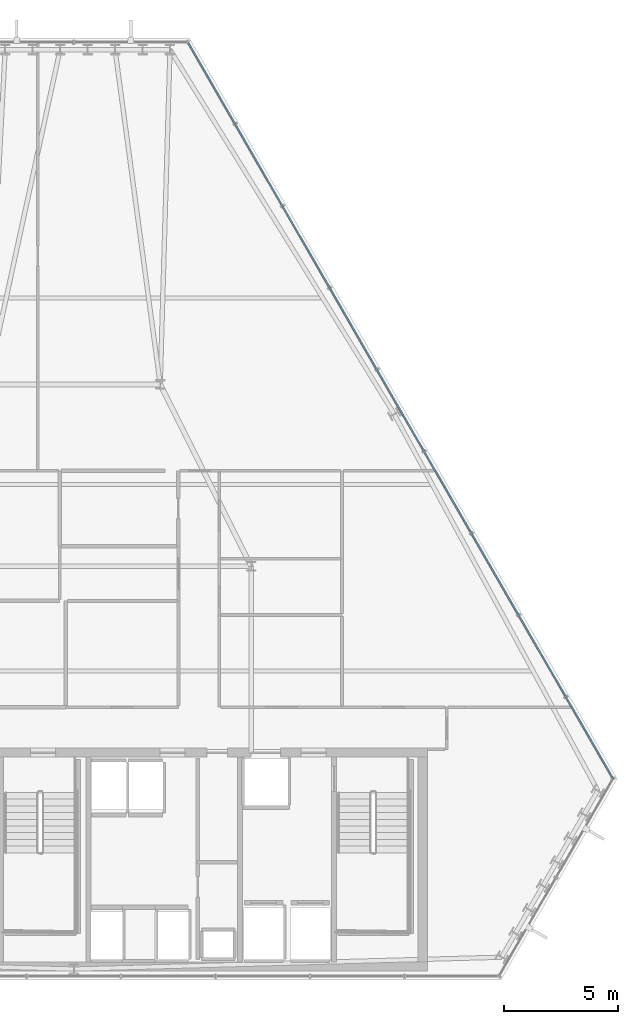
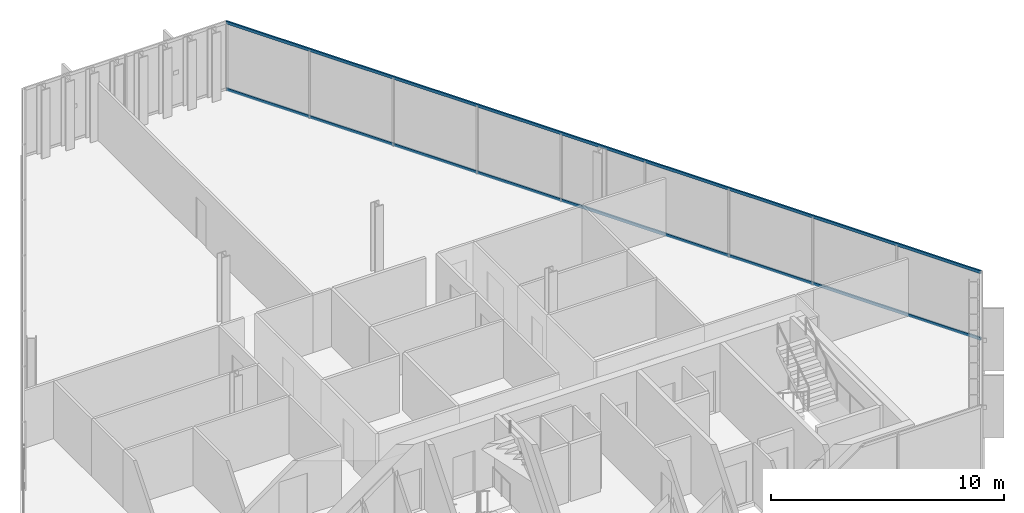
# One storey, part 20 of 35: 2 members, 1 element without a shape of its own.
"""IFC4 building model written with IfcOpenShell, lengths in metres."""

from ifc_helpers import new_model, si_unit, direction, frame, origin, origin_2d, place, context, subcontext, project, spatial, hollow_rectangle, extrude, material, layer, layer_set, material_profile, profile_set, type_object, element, aggregate, save


model = new_model("IFC4")

# Units and contexts
model_context = context("Model", 3, precision=1e-05, world=origin(), true_north=direction((0.0, 1.0)))
body_context = subcontext(model_context, "Body", "Model", "MODEL_VIEW")
ifc_project = project(units=[si_unit("LENGTHUNIT", "METRE"), si_unit("AREAUNIT", "SQUARE_METRE"), si_unit("VOLUMEUNIT", "CUBIC_METRE"), si_unit("PLANEANGLEUNIT", "RADIAN"), si_unit("MASSUNIT", "GRAM", prefix="KILO")], contexts=[model_context])

# Site, building, storey
site_placement = place(None, origin())
site = spatial("IfcSite", under=ifc_project, at=site_placement, CompositionType="ELEMENT")
building_placement = place(site_placement, origin())
building = spatial("IfcBuilding", under=site, at=building_placement, Name="Ndaravel Arena Tower", CompositionType="ELEMENT")
storey_placement = place(building_placement, frame((0.0, 0.0, 176.39990234375)))
storey = spatial("IfcBuildingStorey", under=building, at=storey_placement, Name="L42", CompositionType="ELEMENT", Elevation=176.39990234375)

# Curtain wall, members
ifc_material_1 = material(Name="Aluminium", Category="aluminium")
ifc_layer = layer(ifc_material_1, 0.179931640625)
ifc_layer_set = layer_set([ifc_layer], Name="Aluminium")
curtain_wall_type = type_object("IfcCurtainWallType", Name="CW-SYS-03", PredefinedType="NOTDEFINED", material=ifc_layer_set)
curtain_wall_placement = place(storey_placement, origin())
curtain_wall = element("IfcCurtainWall", 1, at=curtain_wall_placement, inside=storey, type_object=curtain_wall_type, Name="L42 Faceted Crystal Curtain Wall CW-L42-E03", PredefinedType="NOTDEFINED")
ifc_material_2 = material(Name="Aluminium", Category="aluminium")
ifc_material_profile = material_profile(ifc_material_2, hollow_rectangle(XDim=0.074951171875, YDim=0.14990234375, WallThickness=0.00390625, at=origin_2d()), Name="CW TRANSOM 75x150x4")
ifc_profile_set = profile_set([ifc_material_profile], Name="Aluminium")
member_type = type_object("IfcMemberType", Name="MEM-CW-TRN150", PredefinedType="USERDEFINED", material=ifc_profile_set)
member_1_placement = place(storey_placement, frame((65.72216796875, 13.852783203125, 0.0400390625), z_axis=(-0.499996270439, 0.866027557037, 0.0), x_axis=(-0.866027557037, -0.499996270439, 0.0)))
member_1 = element("IfcMember", 2, at=member_1_placement, type_object=member_type, Name="CW-L42-E03 Transom 01", ObjectType="TRANSOM", PredefinedType="USERDEFINED", context=body_context, shape_type="SweptSolid", body=[
    extrude(hollow_rectangle(XDim=0.074951171875, YDim=0.14990234375, WallThickness=0.00390625, at=origin_2d()), origin(), (0.0, 0.0, 1.0), 37.406982421875),
])
member_2_placement = place(storey_placement, frame((65.72216796875, 13.852783203125, 3.5400390625), z_axis=(-0.499996270439, 0.866027557037, 0.0), x_axis=(-0.866027557037, -0.499996270439, 0.0)))
member_2 = element("IfcMember", 3, at=member_2_placement, type_object=member_type, Name="CW-L42-E03 Transom 02", ObjectType="TRANSOM", PredefinedType="USERDEFINED", context=body_context, shape_type="SweptSolid", body=[
    extrude(hollow_rectangle(XDim=0.074951171875, YDim=0.14990234375, WallThickness=0.00390625, at=origin_2d()), origin(), (0.0, 0.0, 1.0), 37.406982421875),
])
aggregate(curtain_wall, [member_1, member_2])

save(model, "model.ifc")
